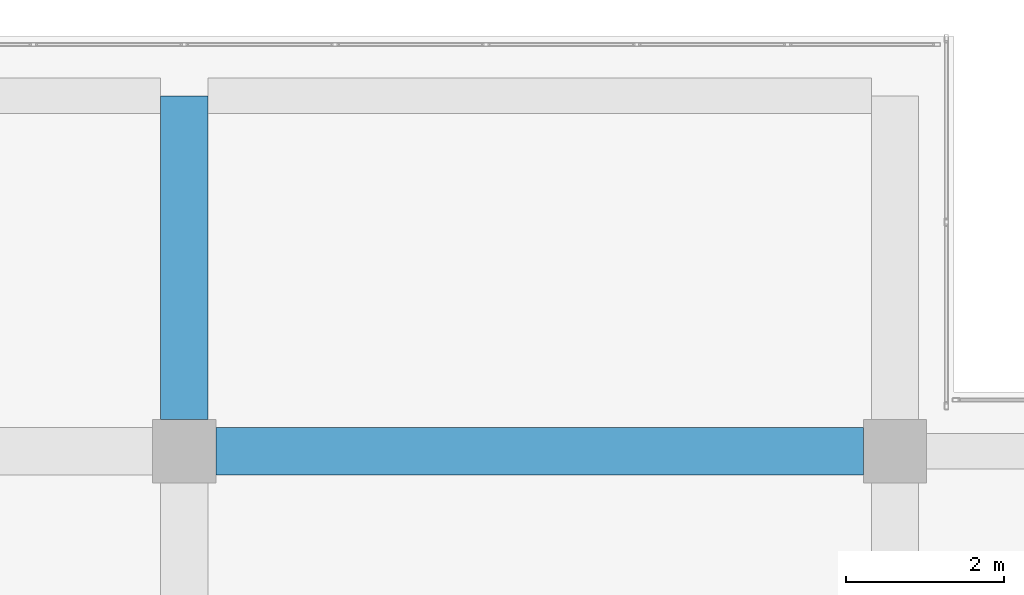
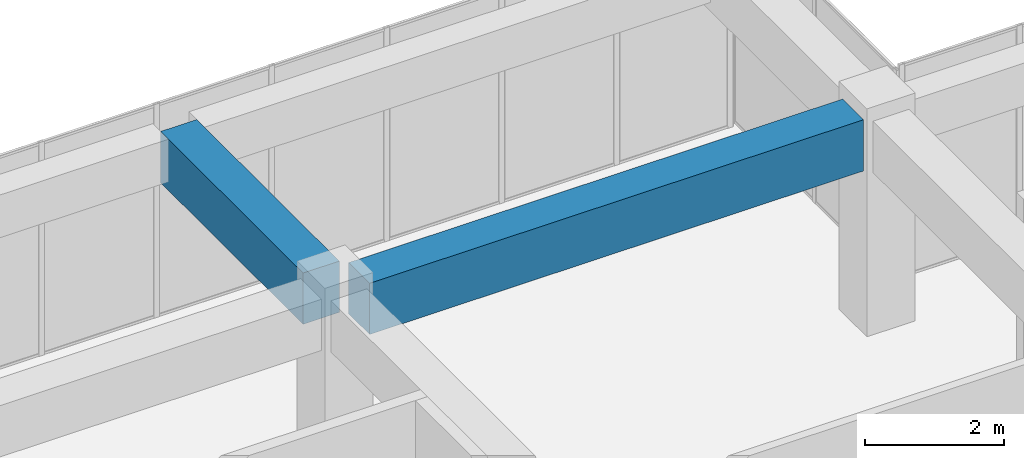
# One storey, part 32 of 65: 2 beams.
"""IFC4 building model written with IfcOpenShell, lengths in metres."""

from ifc_helpers import new_model, si_unit, direction, frame, origin, origin_2d, place, context, subcontext, project, spatial, rectangle, extrude, material, material_profile, profile_set, type_object, element, save


model = new_model("IFC4")

# Units and contexts
model_context = context("Model", 3, precision=1e-05, world=origin(), true_north=direction((0.0, 1.0)))
body_context = subcontext(model_context, "Body", "Model", "MODEL_VIEW")
ifc_project = project(units=[si_unit("LENGTHUNIT", "METRE"), si_unit("AREAUNIT", "SQUARE_METRE"), si_unit("VOLUMEUNIT", "CUBIC_METRE"), si_unit("PLANEANGLEUNIT", "RADIAN"), si_unit("MASSUNIT", "GRAM", prefix="KILO")], contexts=[model_context])

# Site, building, storey
site_placement = place(None, origin())
site = spatial("IfcSite", under=ifc_project, at=site_placement, CompositionType="ELEMENT")
building_placement = place(site_placement, origin())
building = spatial("IfcBuilding", under=site, at=building_placement, Name="Tuart Plaza Theatre", CompositionType="ELEMENT")
storey_placement = place(building_placement, frame((0.0, 0.0, 9.5)))
storey = spatial("IfcBuildingStorey", under=building, at=storey_placement, Name="L02", CompositionType="ELEMENT", Elevation=9.5)

# Beams
ifc_material = material(Name="Concrete N40 (40 MPa)", Category="concrete")
ifc_material_profile = material_profile(ifc_material, rectangle(XDim=0.60009765625, YDim=0.89990234375, at=origin_2d()), Name="BEAM 600x900 Concrete N40 (40 MPa)")
ifc_profile_set = profile_set([ifc_material_profile], Name="Concrete N40 (40 MPa)")
beam_type = type_object("IfcBeamType", Name="BEAM 600x900 Concrete N40 (40 MPa)", PredefinedType="BEAM", material=ifc_profile_set)
beam_1_placement = place(storey_placement, frame((123.0, 92.39990234375, 3.300048828125), z_axis=(0.0, 1.0, 0.0), x_axis=(-1.0, 0.0, 0.0)))
element("IfcBeam", 1, at=beam_1_placement, inside=storey, type_object=beam_type, Name="RB178", PredefinedType="BEAM", context=body_context, shape_type="SweptSolid", body=[
    extrude(rectangle(XDim=0.60009765625, YDim=0.89990234375, at=origin_2d()), origin(), (0.0, 0.0, 1.0), 4.10009765625),
])
beam_2_placement = place(storey_placement, frame((123.39990234375, 92.0, 3.300048828125), z_axis=(1.0, 0.0, 0.0), x_axis=(0.0, 1.0, 0.0)))
element("IfcBeam", 2, at=beam_2_placement, inside=storey, type_object=beam_type, Name="RB179", PredefinedType="BEAM", context=body_context, shape_type="SweptSolid", body=[
    extrude(rectangle(XDim=0.60009765625, YDim=0.89990234375, at=origin_2d()), origin(), (0.0, 0.0, 1.0), 8.2001953125),
])

save(model, "model.ifc")
